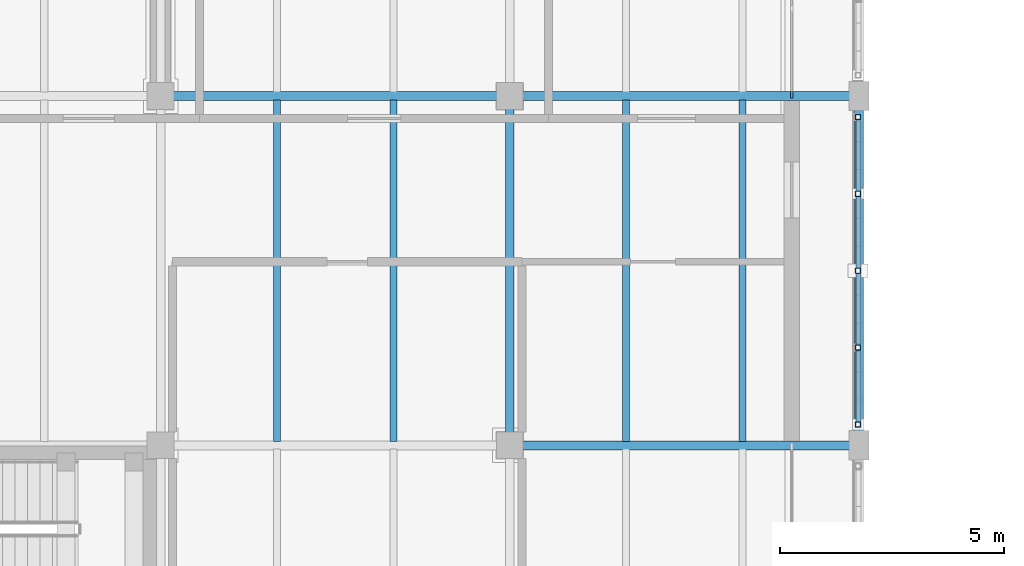
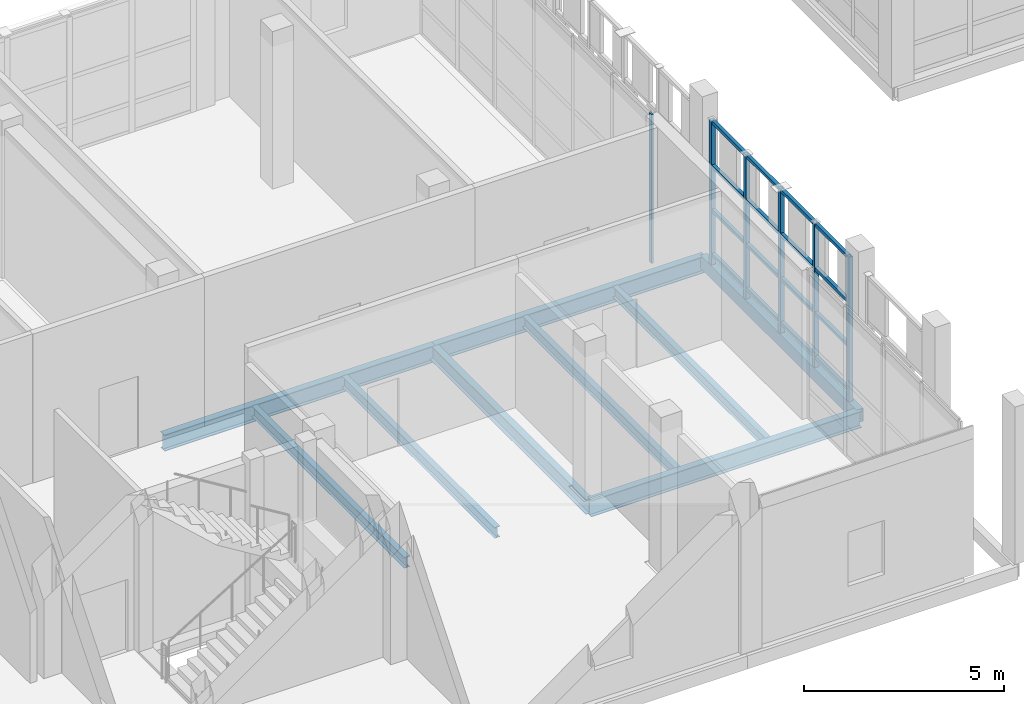
# One storey, part 25 of 138: 22 members, 9 beams, 1 element without a shape of its own.
"""IFC4 building model written with IfcOpenShell, lengths in metres."""

from ifc_helpers import new_model, si_unit, direction, frame, origin, origin_2d, place, context, subcontext, project, spatial, rectangle, hollow_rectangle, i_section, extrude, material, layer, layer_set, material_profile, profile_set, type_object, element, aggregate, save


model = new_model("IFC4")

# Units and contexts
model_context = context("Model", 3, precision=1e-05, world=origin(), true_north=direction((0.0, 1.0)))
body_context = subcontext(model_context, "Body", "Model", "MODEL_VIEW")
ifc_project = project(units=[si_unit("LENGTHUNIT", "METRE"), si_unit("AREAUNIT", "SQUARE_METRE"), si_unit("VOLUMEUNIT", "CUBIC_METRE"), si_unit("PLANEANGLEUNIT", "RADIAN"), si_unit("MASSUNIT", "GRAM", prefix="KILO")], contexts=[model_context])

# Site, building, storey
site_placement = place(None, origin())
site = spatial("IfcSite", under=ifc_project, at=site_placement, CompositionType="ELEMENT")
building_placement = place(site_placement, origin())
building = spatial("IfcBuilding", under=site, at=building_placement, Name="Celorna Specialist Clinic", CompositionType="ELEMENT")
storey_placement = place(building_placement, frame((0.0, 0.0, 4.800048828125)))
storey = spatial("IfcBuildingStorey", under=building, at=storey_placement, Name="L01", CompositionType="ELEMENT", Elevation=4.800048828125)

# Beams
ifc_material_1 = material(Name="Steel S355", Category="steel")
ifc_material_profile_1 = material_profile(ifc_material_1, i_section(OverallWidth=0.199951171875, OverallDepth=0.5, WebThickness=0.01025390625, FlangeThickness=0.01611328125, at=origin_2d()), Name="IPE 500")
ifc_profile_set_1 = profile_set([ifc_material_profile_1], Name="Steel S355")
beam_type_1 = type_object("IfcBeamType", Name="BM-08", PredefinedType="BEAM", material=ifc_profile_set_1)
for number, where, z_axis, x_axis, name in (
    (1, (39.0, 7.800048828125, -0.510009765625), (1.0, 0.0, 0.0), (0.0, 1.0, 0.0), "Primary girder BM-08 #1600"),
    (2, (31.199951171875, 15.60009765625, -0.510009765625), (1.0, 0.0, 0.0), (0.0, 1.0, 0.0), "Primary girder BM-08 #1605"),
    (3, (39.0, 15.60009765625, -0.510009765625), (1.0, 0.0, 0.0), (0.0, 1.0, 0.0), "Primary girder BM-08 #1606"),
):
    element("IfcBeam", number, at=place(storey_placement, frame(where, z_axis=z_axis, x_axis=x_axis)), inside=storey, type_object=beam_type_1, Name=name, PredefinedType="BEAM", context=body_context, shape_type="SweptSolid", body=[
        extrude(i_section(OverallWidth=0.199951171875, OverallDepth=0.5, WebThickness=0.01025390625, FlangeThickness=0.01611328125, at=origin_2d()), origin(), (0.0, 0.0, 1.0), 7.800048828125),
    ])
ifc_material_profile_2 = material_profile(ifc_material_1, i_section(OverallWidth=0.18994140625, OverallDepth=0.449951171875, WebThickness=0.009521484375, FlangeThickness=0.0146484375, at=origin_2d()), Name="IPE 450")
ifc_profile_set_2 = profile_set([ifc_material_profile_2], Name="Steel S355")
beam_type_2 = type_object("IfcBeamType", Name="BM-09", PredefinedType="BEAM", material=ifc_profile_set_2)
beam_1_placement = place(storey_placement, frame((39.0, 7.800048828125, -0.485107421875), z_axis=(0.0, 1.0, 0.0), x_axis=(-1.0, 0.0, 0.0)))
element("IfcBeam", 4, at=beam_1_placement, inside=storey, type_object=beam_type_2, Name="Transverse girder BM-09 #1645", PredefinedType="BEAM", context=body_context, shape_type="SweptSolid", body=[
    extrude(i_section(OverallWidth=0.18994140625, OverallDepth=0.449951171875, WebThickness=0.009521484375, FlangeThickness=0.0146484375, at=origin_2d()), origin(), (0.0, 0.0, 1.0), 7.800048828125),
])
ifc_material_profile_3 = material_profile(ifc_material_1, i_section(OverallWidth=0.159912109375, OverallDepth=0.330078125, WebThickness=0.007568359375, FlangeThickness=0.011474609375, at=origin_2d()), Name="IPE 330")
ifc_profile_set_3 = profile_set([ifc_material_profile_3], Name="Steel S355")
beam_type_3 = type_object("IfcBeamType", Name="BM-12", PredefinedType="JOIST", material=ifc_profile_set_3)
for number, where, z_axis, x_axis, name in (
    (5, (33.800048828125, 7.887939453125, -0.425048828125), (0.0, 1.0, 0.0), (-1.0, 0.0, 0.0), "Secondary floor joist BM-12 #1688"),
    (6, (36.39990234375, 7.887939453125, -0.425048828125), (0.0, 1.0, 0.0), (-1.0, 0.0, 0.0), "Secondary floor joist BM-12 #1689"),
    (7, (41.60009765625, 7.887939453125, -0.425048828125), (0.0, 1.0, 0.0), (-1.0, 0.0, 0.0), "Secondary floor joist BM-12 #1698"),
    (8, (44.199951171875, 7.887939453125, -0.425048828125), (0.0, 1.0, 0.0), (-1.0, 0.0, 0.0), "Secondary floor joist BM-12 #1699"),
):
    element("IfcBeam", number, at=place(storey_placement, frame(where, z_axis=z_axis, x_axis=x_axis)), inside=storey, type_object=beam_type_3, Name=name, PredefinedType="JOIST", context=body_context, shape_type="SweptSolid", body=[
        extrude(i_section(OverallWidth=0.159912109375, OverallDepth=0.330078125, WebThickness=0.007568359375, FlangeThickness=0.011474609375, at=origin_2d()), origin(), (0.0, 0.0, 1.0), 7.6240234375),
    ])
ifc_material_profile_4 = material_profile(ifc_material_1, hollow_rectangle(XDim=0.199951171875, YDim=0.39990234375, WallThickness=0.011962890625, at=origin_2d()), Name="RHS 200x400x12")
ifc_profile_set_4 = profile_set([ifc_material_profile_4], Name="Steel S355")
beam_type_4 = type_object("IfcBeamType", Name="BM-15", PredefinedType="SPANDREL", material=ifc_profile_set_4)
beam_2_placement = place(storey_placement, frame((46.800048828125, 7.800048828125, -0.4599609375), z_axis=(0.0, 1.0, 0.0), x_axis=(-1.0, 0.0, 0.0)))
element("IfcBeam", 9, at=beam_2_placement, inside=storey, type_object=beam_type_4, Name="Spandrel beam BM-15 #1650", PredefinedType="SPANDREL", context=body_context, shape_type="SweptSolid", body=[
    extrude(hollow_rectangle(XDim=0.199951171875, YDim=0.39990234375, WallThickness=0.011962890625, at=origin_2d()), origin(), (0.0, 0.0, 1.0), 7.800048828125),
])

# Members
ifc_material_profile_5 = material_profile(ifc_material_1, hollow_rectangle(XDim=0.1201171875, YDim=0.1201171875, WallThickness=0.008056640625, at=origin_2d()), Name="SHS 120x120x8")
ifc_profile_set_5 = profile_set([ifc_material_profile_5], Name="Steel S355")
member_type_1 = type_object("IfcMemberType", Name="MB-11", PredefinedType="STUD", material=ifc_profile_set_5)
for number, where, z_axis, x_axis, name in (
    (10, (46.780029296875, 8.264892578125, -0.360107421875), (0.0, 0.0, 1.0), (1.0, 0.0, 0.0), "Perforated screen steel post #1619"),
    (11, (46.780029296875, 9.982421875, -0.360107421875), (0.0, 0.0, 1.0), (1.0, 0.0, 0.0), "Perforated screen steel post #1620"),
    (12, (46.780029296875, 11.699951171875, -0.360107421875), (0.0, 0.0, 1.0), (1.0, 0.0, 0.0), "Perforated screen steel post #1621"),
    (13, (46.780029296875, 13.41748046875, -0.360107421875), (0.0, 0.0, 1.0), (1.0, 0.0, 0.0), "Perforated screen steel post #1622"),
    (14, (46.780029296875, 15.135009765625, -0.360107421875), (0.0, 0.0, 1.0), (1.0, 0.0, 0.0), "Perforated screen steel post #1623"),
):
    element("IfcMember", number, at=place(storey_placement, frame(where, z_axis=z_axis, x_axis=x_axis)), inside=storey, type_object=member_type_1, Name=name, PredefinedType="STUD", context=body_context, shape_type="SweptSolid", body=[
        extrude(hollow_rectangle(XDim=0.1201171875, YDim=0.1201171875, WallThickness=0.008056640625, at=origin_2d()), origin(), (0.0, 0.0, 1.0), 4.5),
    ])
ifc_material_profile_6 = material_profile(ifc_material_1, hollow_rectangle(XDim=0.10009765625, YDim=0.10009765625, WallThickness=0.006103515625, at=origin_2d()), Name="SHS 100x100x6")
ifc_profile_set_6 = profile_set([ifc_material_profile_6], Name="Steel S355")
member_type_2 = type_object("IfcMemberType", Name="MB-12", PredefinedType="STUD", material=ifc_profile_set_6)
for number, where, z_axis, x_axis, name in (
    (15, (46.780029296875, 8.324951171875, 0.050048828125), (0.0, 1.0, 0.0), (-1.0, 0.0, 0.0), "Perforated screen rail #1624"),
    (16, (46.780029296875, 8.324951171875, 1.396728515625), (0.0, 1.0, 0.0), (-1.0, 0.0, 0.0), "Perforated screen rail #1625"),
    (17, (46.780029296875, 8.324951171875, 2.7431640625), (0.0, 1.0, 0.0), (-1.0, 0.0, 0.0), "Perforated screen rail #1626"),
    (18, (46.780029296875, 8.324951171875, 4.08984375), (0.0, 1.0, 0.0), (-1.0, 0.0, 0.0), "Perforated screen rail #1627"),
):
    element("IfcMember", number, at=place(storey_placement, frame(where, z_axis=z_axis, x_axis=x_axis)), inside=storey, type_object=member_type_2, Name=name, PredefinedType="STUD", context=body_context, shape_type="SweptSolid", body=[
        extrude(hollow_rectangle(XDim=0.10009765625, YDim=0.10009765625, WallThickness=0.006103515625, at=origin_2d()), origin(), (0.0, 0.0, 1.0), 1.59765625),
    ])
for number, where, z_axis, x_axis, name in (
    (19, (46.780029296875, 10.04248046875, 0.050048828125), (0.0, 1.0, 0.0), (-1.0, 0.0, 0.0), "Perforated screen rail #1628"),
    (20, (46.780029296875, 10.04248046875, 1.396728515625), (0.0, 1.0, 0.0), (-1.0, 0.0, 0.0), "Perforated screen rail #1629"),
    (21, (46.780029296875, 10.04248046875, 2.7431640625), (0.0, 1.0, 0.0), (-1.0, 0.0, 0.0), "Perforated screen rail #1630"),
    (22, (46.780029296875, 10.04248046875, 4.08984375), (0.0, 1.0, 0.0), (-1.0, 0.0, 0.0), "Perforated screen rail #1631"),
    (23, (46.780029296875, 11.760009765625, 0.050048828125), (0.0, 1.0, 0.0), (-1.0, 0.0, 0.0), "Perforated screen rail #1632"),
    (24, (46.780029296875, 11.760009765625, 1.396728515625), (0.0, 1.0, 0.0), (-1.0, 0.0, 0.0), "Perforated screen rail #1633"),
    (25, (46.780029296875, 11.760009765625, 2.7431640625), (0.0, 1.0, 0.0), (-1.0, 0.0, 0.0), "Perforated screen rail #1634"),
    (26, (46.780029296875, 11.760009765625, 4.08984375), (0.0, 1.0, 0.0), (-1.0, 0.0, 0.0), "Perforated screen rail #1635"),
    (27, (46.780029296875, 13.4775390625, 0.050048828125), (0.0, 1.0, 0.0), (-1.0, 0.0, 0.0), "Perforated screen rail #1636"),
    (28, (46.780029296875, 13.4775390625, 1.396728515625), (0.0, 1.0, 0.0), (-1.0, 0.0, 0.0), "Perforated screen rail #1637"),
    (29, (46.780029296875, 13.4775390625, 2.7431640625), (0.0, 1.0, 0.0), (-1.0, 0.0, 0.0), "Perforated screen rail #1638"),
    (30, (46.780029296875, 13.4775390625, 4.08984375), (0.0, 1.0, 0.0), (-1.0, 0.0, 0.0), "Perforated screen rail #1639"),
):
    element("IfcMember", number, at=place(storey_placement, frame(where, z_axis=z_axis, x_axis=x_axis)), inside=storey, type_object=member_type_2, Name=name, PredefinedType="STUD", context=body_context, shape_type="SweptSolid", body=[
        extrude(hollow_rectangle(XDim=0.10009765625, YDim=0.10009765625, WallThickness=0.006103515625, at=origin_2d()), origin(), (0.0, 0.0, 1.0), 1.597412109375),
    ])

# Curtain wall, member
ifc_material_2 = material(Name="Thermally broken aluminium and solar-control glass curtain wall", Category="aluminium")
ifc_layer = layer(ifc_material_2, 0.159912109375, Name="Thermally broken aluminium and solar-control glass curtain wall")
ifc_layer_set = layer_set([ifc_layer], Name="Thermally broken aluminium and solar-control glass curtain wall")
curtain_wall_type = type_object("IfcCurtainWallType", Name="CW-85", PredefinedType="NOTDEFINED", material=ifc_layer_set)
curtain_wall_placement = place(storey_placement, origin())
curtain_wall = element("IfcCurtainWall", 31, at=curtain_wall_placement, inside=storey, type_object=curtain_wall_type, Name="Curtain wall CW-85 #159", PredefinedType="NOTDEFINED")
ifc_material_3 = material(Name="Anodized aluminium mullion", Category="aluminium")
ifc_material_profile_7 = material_profile(ifc_material_3, rectangle(XDim=0.050048828125, YDim=0.139892578125, at=origin_2d()), Name="ALU MULLION 50x140")
ifc_profile_set_7 = profile_set([ifc_material_profile_7], Name="Anodized aluminium mullion")
member_type_3 = type_object("IfcMemberType", Name="ML-03", PredefinedType="MULLION", material=ifc_profile_set_7)
member_placement = place(storey_placement, frame((45.300048828125, 15.62890625, 0.0), z_axis=(0.0, 0.0, 1.0), x_axis=(1.0, 0.0, 0.0)))
member = element("IfcMember", 32, at=member_placement, type_object=member_type_3, Name="CW-85 mullion 5", PredefinedType="MULLION", context=body_context, shape_type="SweptSolid", body=[
    extrude(rectangle(XDim=0.050048828125, YDim=0.139892578125, at=origin_2d()), origin(), (0.0, 0.0, 1.0), 4.5400390625),
])
aggregate(curtain_wall, [member])

save(model, "model.ifc")
